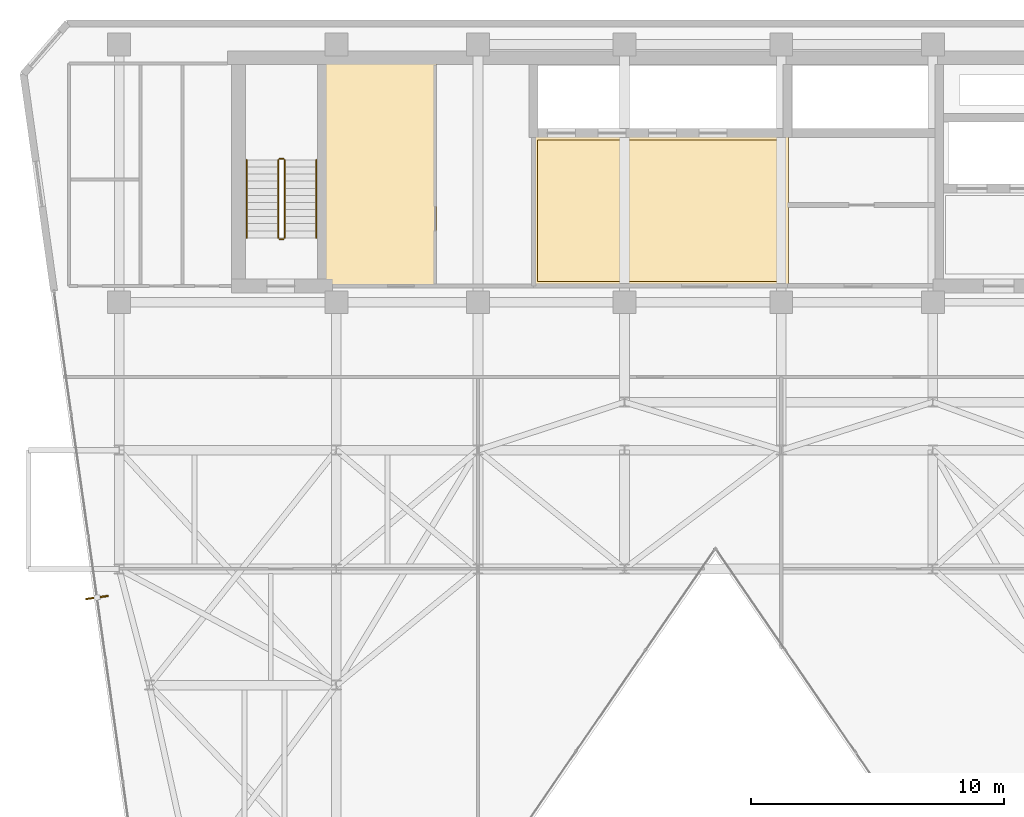
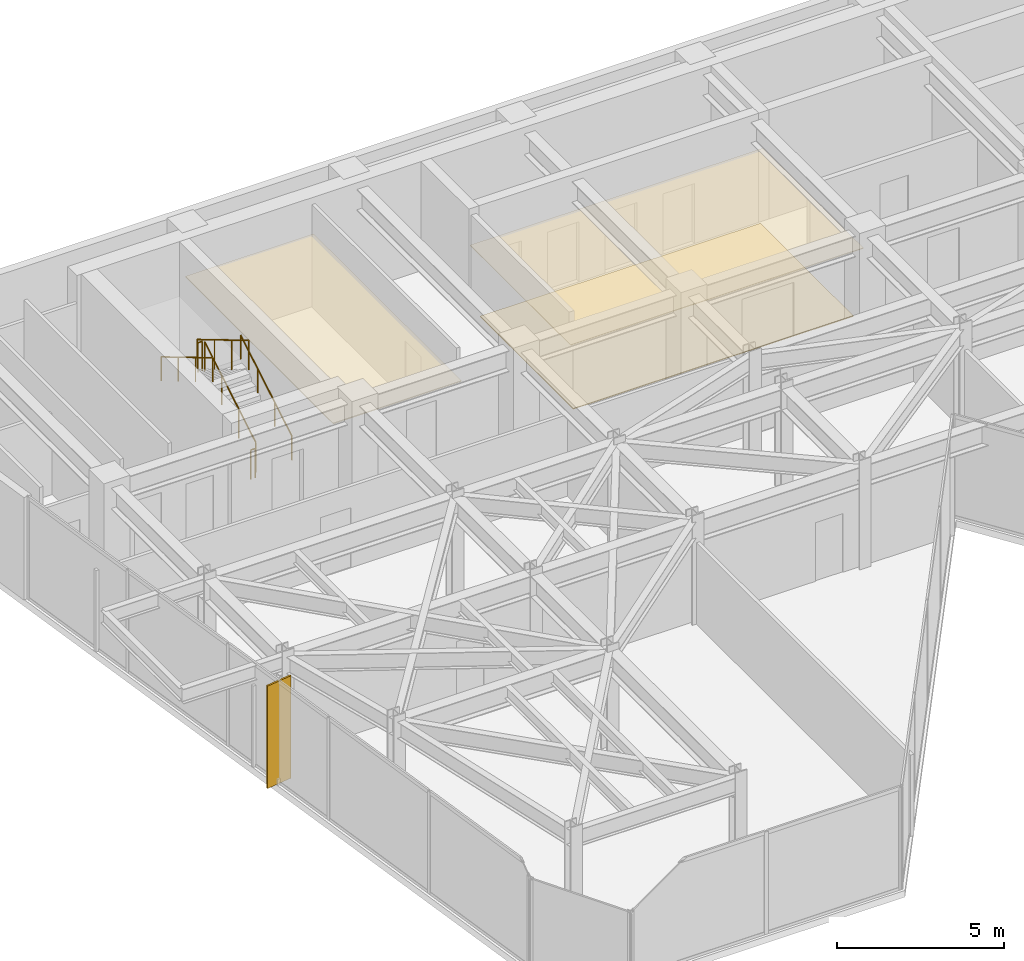
# One storey, part 25 of 26: 6 railings, 3 coverings, 1 shading device.
"""IFC4 building model written with IfcOpenShell, lengths in metres."""

import ifcopenshell
import ifcopenshell.guid

model = None  # the IFC model being written
_history = None  # IfcOwnerHistory: only IFC2X3 demands one
_inside = {}  # id of a spatial element -> (the spatial element, [elements in it])
_under = {}  # id of a project, library or spatial element -> (it, [spatial elements below it])
_declared = {}  # id of a project -> (the project, [libraries it declares])
_typed = {}  # id of a type object -> (the type object, [elements of that type])
_made_of = {}  # id of a material, layer set ... -> (it, [elements and type objects made of it])


def new_model(schema):
    """Start an empty IFC model of exactly this schema.

    Asked for "IFC4X3", IfcOpenShell would pick the latest addendum, in which some entities
    have other attributes; the version numbers below select the first issue.
    IFC2X3 requires an IfcOwnerHistory on every rooted entity: one is made here for all.
    """
    global model, _history
    if schema == "IFC4X3":
        model = ifcopenshell.file(schema_version=(4, 3, 0, 0))
    else:
        model = ifcopenshell.file(schema=schema)
    _inside.clear()
    _under.clear()
    _declared.clear()
    _typed.clear()
    _made_of.clear()
    _history = None
    if model.schema == "IFC2X3":
        org = make("IfcOrganization", Name="unknown")
        user = make(
            "IfcPersonAndOrganization",
            ThePerson=make("IfcPerson", FamilyName="unknown"),
            TheOrganization=org,
        )
        app = make(
            "IfcApplication",
            ApplicationDeveloper=org,
            Version="unknown",
            ApplicationFullName="unknown",
            ApplicationIdentifier="unknown",
        )
        _history = make(
            "IfcOwnerHistory",
            OwningUser=user,
            OwningApplication=app,
            ChangeAction="ADDED",
            CreationDate=0,
        )
    return model


def make(cls, **values):
    """One entity of the class cls with the attributes given. An attribute that is None is left unset."""
    return model.create_entity(
        cls, **{name: value for name, value in values.items() if value is not None}
    )


def rooted(cls, **values):
    """An entity with a GlobalId (a new one), such as an element, a storey or a relation."""
    return make(cls, GlobalId=ifcopenshell.guid.new(), OwnerHistory=_history, **values)


def si_unit(unit_type, name, prefix=None):
    """IfcSIUnit, for example si_unit("LENGTHUNIT", "METRE", prefix="MILLI")."""
    return make("IfcSIUnit", UnitType=unit_type, Prefix=prefix, Name=name)


def assignment(units):
    """IfcUnitAssignment: the units of a project."""
    return None if units is None else make("IfcUnitAssignment", Units=units)


def point(xyz):
    """IfcCartesianPoint."""
    return None if xyz is None else make("IfcCartesianPoint", Coordinates=xyz)


def direction(xyz):
    """IfcDirection."""
    return None if xyz is None else make("IfcDirection", DirectionRatios=xyz)


def frame(location, z_axis=None, x_axis=None):
    """IfcAxis2Placement3D, a coordinate frame: its origin and axes. An axis left out is left unset."""
    return make(
        "IfcAxis2Placement3D",
        Location=point(location),
        Axis=direction(z_axis),
        RefDirection=direction(x_axis),
    )


def frame_2d(location, x_axis=None):
    """IfcAxis2Placement2D, a coordinate frame in the plane: its origin and x axis."""
    return make(
        "IfcAxis2Placement2D", Location=point(location), RefDirection=direction(x_axis)
    )


def origin():
    """The frame at (0, 0, 0) with its axes left unset."""
    return frame((0.0, 0.0, 0.0))


def origin_2d():
    """The frame at (0, 0) in the plane with its x axis left unset."""
    return frame_2d((0.0, 0.0))


def place(relative_to, where):
    """IfcLocalPlacement: puts the frame where relative to a parent placement (None: the world)."""
    return make(
        "IfcLocalPlacement", PlacementRelTo=relative_to, RelativePlacement=where
    )


def context(
    kind, dimensions, precision=None, world=None, true_north=None, identifier=None
):
    """IfcGeometricRepresentationContext, for example the 3D "Model" context."""
    return make(
        "IfcGeometricRepresentationContext",
        ContextIdentifier=identifier,
        ContextType=kind,
        CoordinateSpaceDimension=dimensions,
        Precision=precision,
        WorldCoordinateSystem=world,
        TrueNorth=true_north,
    )


def subcontext(parent, identifier, kind, view, scale=None):
    """IfcGeometricRepresentationSubContext, for example "Body" below "Model"."""
    return make(
        "IfcGeometricRepresentationSubContext",
        ContextIdentifier=identifier,
        ContextType=kind,
        ParentContext=parent,
        TargetScale=scale,
        TargetView=view,
    )


def project(units=None, contexts=None):
    """IfcProject with its units and contexts."""
    return rooted(
        "IfcProject",
        Name="project",
        RepresentationContexts=contexts,
        UnitsInContext=assignment(units),
    )


def spatial(cls, under=None, at=None, **own):
    """A site, building, storey or space (cls), placed at a placement, below another one or the project."""
    s = rooted(cls, ObjectPlacement=at, **own)
    if under is not None:
        _under.setdefault(under.id(), (under, []))[1].append(s)
    return s


def polyline(points):
    """IfcPolyline through the points."""
    return make("IfcPolyline", Points=[point(p) for p in points])


def profile(cls, at=None, kind="AREA", **sizes):
    """A parametric profile (cls). Its sizes go by their IFC names, for example OverallWidth=200.0."""
    return make(cls, ProfileType=kind, Position=at, **sizes)


def rectangle(**sizes):
    """IfcRectangleProfileDef."""
    return profile("IfcRectangleProfileDef", **sizes)


def circle(**sizes):
    """IfcCircleProfileDef."""
    return profile("IfcCircleProfileDef", **sizes)


def outline(outer, holes=None, kind="AREA"):
    """IfcArbitraryClosedProfileDef: a profile drawn as a closed curve; with holes, ...WithVoids."""
    if holes is None:
        return make("IfcArbitraryClosedProfileDef", ProfileType=kind, OuterCurve=outer)
    return make(
        "IfcArbitraryProfileDefWithVoids",
        ProfileType=kind,
        OuterCurve=outer,
        InnerCurves=holes,
    )


def extrude(swept, where, along, depth):
    """IfcExtrudedAreaSolid: the profile swept, set in the frame where, extruded along a direction by depth."""
    return make(
        "IfcExtrudedAreaSolid",
        SweptArea=swept,
        Position=where,
        ExtrudedDirection=direction(along),
        Depth=depth,
    )


def shape(context_of_items, identifier, shape_type, items):
    """IfcShapeRepresentation: the items that make up one representation, for example the "Body"."""
    return make(
        "IfcShapeRepresentation",
        ContextOfItems=context_of_items,
        RepresentationIdentifier=identifier,
        RepresentationType=shape_type,
        Items=items,
    )


def material(Name=None, Category=None):
    """IfcMaterial."""
    return make("IfcMaterial", Name=Name, Category=Category)


def layer(
    of_material, thickness, ventilated=None, Name=None, Category=None, Priority=None
):
    """IfcMaterialLayer: one layer of a wall or slab, of a material (None: an air gap)."""
    return make(
        "IfcMaterialLayer",
        Material=of_material,
        LayerThickness=thickness,
        IsVentilated=ventilated,
        Name=Name,
        Category=Category,
        Priority=Priority,
    )


def layer_set(layers, Name=None):
    """IfcMaterialLayerSet."""
    return make("IfcMaterialLayerSet", MaterialLayers=layers, LayerSetName=Name)


def made_of(thing, what):
    """Note that an element or type object is made of a material, layer set ...; save() writes the relation."""
    if what is not None:
        _made_of.setdefault(what.id(), (what, []))[1].append(thing)
    return thing


def type_object(cls, material=None, **own):
    """A type object (cls), such as IfcWallType, which elements share."""
    return made_of(rooted(cls, **own), material)


def element(
    cls,
    number,
    at=None,
    inside=None,
    cuts=None,
    type_object=None,
    material=None,
    context=None,
    identifier="Body",
    shape_type=None,
    held_by="IfcProductDefinitionShape",
    body=None,
    shapes=None,
    **own,
):
    """One element of the class cls, such as IfcWall. Its Tag is "e" and its number.

    at: its placement. inside: the storey or other place that contains it. cuts: it is an
    opening in that element (IfcRelVoidsElement). A single representation is given by context,
    identifier, shape_type and body (its items); several are given by shapes. held_by: the class
    of the entity that holds the representations. save() writes the other relations.
    """
    e = rooted(cls, Tag="e%d" % number, ObjectPlacement=at, **own)
    if body is not None:
        shapes = [shape(context, identifier, shape_type, body)]
    if shapes is not None:
        e.Representation = make(held_by, Representations=shapes)
    if inside is not None:
        _inside.setdefault(inside.id(), (inside, []))[1].append(e)
    if cuts is not None:
        rooted(
            "IfcRelVoidsElement", RelatingBuildingElement=cuts, RelatedOpeningElement=e
        )
    if type_object is not None:
        _typed.setdefault(type_object.id(), (type_object, []))[1].append(e)
    return made_of(e, material)


def aggregate(whole, parts):
    """IfcRelAggregates: a whole, such as a stair, and the parts it consists of."""
    return rooted("IfcRelAggregates", RelatingObject=whole, RelatedObjects=parts)


def save(model, path):
    """Write the relations noted so far, then the file.

    IfcRelAggregates (storeys below a building ...), IfcRelContainedInSpatialStructure (elements
    in a storey), IfcRelDefinesByType, IfcRelAssociatesMaterial and IfcRelDeclares: one each for
    every whole, place, type object, material and project.
    """
    for whole, parts in _under.values():
        aggregate(whole, parts)
    for where, things in _inside.values():
        rooted(
            "IfcRelContainedInSpatialStructure",
            RelatedElements=things,
            RelatingStructure=where,
        )
    for kind, things in _typed.values():
        rooted("IfcRelDefinesByType", RelatedObjects=things, RelatingType=kind)
    for what, things in _made_of.values():
        rooted("IfcRelAssociatesMaterial", RelatedObjects=things, RelatingMaterial=what)
    for by, libraries in _declared.values():
        rooted("IfcRelDeclares", RelatingContext=by, RelatedDefinitions=libraries)
    model.write(path)


model = new_model("IFC4")

# Units and contexts
model_context = context("Model", 3, precision=1e-05, world=origin(), true_north=direction((0.0, 1.0)))
body_context = subcontext(model_context, "Body", "Model", "MODEL_VIEW")
ifc_project = project(units=[si_unit("LENGTHUNIT", "METRE"), si_unit("AREAUNIT", "SQUARE_METRE"), si_unit("VOLUMEUNIT", "CUBIC_METRE"), si_unit("PLANEANGLEUNIT", "RADIAN"), si_unit("MASSUNIT", "GRAM", prefix="KILO")], contexts=[model_context])

# Site, building, storey
site_placement = place(None, origin())
site = spatial("IfcSite", under=ifc_project, at=site_placement, CompositionType="ELEMENT")
building_placement = place(site_placement, origin())
building = spatial("IfcBuilding", under=site, at=building_placement, Name="Kravanh Interchange Tower", CompositionType="ELEMENT")
storey_placement = place(building_placement, frame((0.0, 0.0, 204.5)))
storey = spatial("IfcBuildingStorey", under=building, at=storey_placement, Name="L49", CompositionType="ELEMENT", Elevation=204.5)

# Coverings
ifc_material_1 = material(Name="Cementitious Terrazzo Tile")
ifc_layer_1 = layer(ifc_material_1, 0.030029296875)
ifc_layer_set_1 = layer_set([ifc_layer_1], Name="Honed Terrazzo Lobby Flooring 30mm")
covering_type_1 = type_object("IfcCoveringType", Name="Honed Terrazzo Lobby Flooring 30mm", PredefinedType="FLOORING", material=ifc_layer_set_1)
covering_1_placement = place(storey_placement, origin())
element("IfcCovering", 1, at=covering_1_placement, inside=storey, type_object=covering_type_1, Name="L49 Mid-Rise Lift Lobby Floor Finish", PredefinedType="FLOORING", context=body_context, shape_type="SweptSolid", body=[
    extrude(outline(polyline([(35.159912109375, 43.77001953125), (44.8701171875, 43.77001953125), (44.8701171875, 38.179931640625), (35.159912109375, 38.179931640625), (35.159912109375, 43.77001953125)])), origin(), (0.0, 0.0, 1.0), 0.030029296875),
])
ifc_material_2 = material(Name="Anodised Bronze Aluminium Acoustic Baffle", Category="aluminium")
ifc_layer_2 = layer(ifc_material_2, 0.034912109375)
ifc_layer_set_2 = layer_set([ifc_layer_2], Name="Linear Bronze Baffle Feature Ceiling 35mm")
covering_type_2 = type_object("IfcCoveringType", Name="Linear Bronze Baffle Feature Ceiling 35mm", PredefinedType="CEILING", material=ifc_layer_set_2)
covering_2_placement = place(storey_placement, frame((0.0, 0.0, 2.550048828125)))
element("IfcCovering", 2, at=covering_2_placement, inside=storey, type_object=covering_type_2, Name="L49 Regional IT Server Suite Suspended Ceiling", PredefinedType="CEILING", context=body_context, shape_type="SweptSolid", body=[
    extrude(outline(polyline([(31.159912109375, 37.9599609375), (26.7099609375, 37.9599609375), (26.7099609375, 46.840087890625), (31.159912109375, 46.840087890625), (31.159912109375, 37.9599609375)])), origin(), (0.0, 0.0, 1.0), 0.034912109375),
])
ifc_material_3 = material(Name="Acoustic Mineral Fibre Tile on Aluminium Grid", Category="aluminium")
ifc_layer_3 = layer(ifc_material_3, 0.02490234375)
ifc_layer_set_3 = layer_set([ifc_layer_3], Name="Perforated Acoustic Mineral Ceiling 25mm")
covering_type_3 = type_object("IfcCoveringType", Name="Perforated Acoustic Mineral Ceiling 25mm", PredefinedType="CEILING", material=ifc_layer_set_3)
covering_3_placement = place(storey_placement, frame((0.0, 0.0, 2.550048828125)))
element("IfcCovering", 3, at=covering_3_placement, inside=storey, type_object=covering_type_3, Name="L49 Mid-Rise Lift Lobby Suspended Ceiling", PredefinedType="CEILING", context=body_context, shape_type="SweptSolid", body=[
    extrude(outline(polyline([(45.090087890625, 37.9599609375), (34.93994140625, 37.9599609375), (34.93994140625, 43.989990234375), (45.090087890625, 43.989990234375), (45.090087890625, 37.9599609375)])), origin(), (0.0, 0.0, 1.0), 0.02490234375),
])

# Railings
ifc_material_4 = material(Name="Structural Steel S355", Category="steel")
ifc_layer_4 = layer(ifc_material_4, 0.050048828125)
ifc_layer_set_4 = layer_set([ifc_layer_4], Name="Stair Well Guardrail Structural Steel S355 1100mm")
railing_type_1 = type_object("IfcRailingType", Name="Stair Well Guardrail Structural Steel S355 1100mm", PredefinedType="GUARDRAIL", material=ifc_layer_set_4)
railing_1_placement = place(storey_placement, frame((25.14990234375, 39.89990234375, 0.166748046875)))
element("IfcRailing", 4, at=railing_1_placement, inside=storey, type_object=railing_type_1, Name="L49 ST3 stair guard 1", PredefinedType="GUARDRAIL", context=body_context, shape_type="SweptSolid", body=[
    extrude(circle(Radius=0.02392578125, at=origin_2d()), frame((0.0, 0.0, 1.076171875), z_axis=(0.0, 0.859308565015, 0.511457515432), x_axis=(-1.0, 0.0, 0.0)), (0.0, 0.0, 1.0), 3.58447265625),
    extrude(circle(Radius=0.02099609375, at=origin_2d()), origin(), (0.0, 0.0, 1.0), 1.052001953125),
    extrude(circle(Radius=0.02099609375, at=origin_2d()), frame((0.0, 1.026611328125, 0.611083984375)), (0.0, 0.0, 1.0), 1.052001953125),
    extrude(circle(Radius=0.02099609375, at=origin_2d()), frame((0.0, 2.053466796875, 1.22216796875)), (0.0, 0.0, 1.0), 1.052001953125),
    extrude(circle(Radius=0.02099609375, at=origin_2d()), frame((0.0, 3.080078125, 1.833251953125)), (0.0, 0.0, 1.0), 1.052001953125),
])
railing_2_placement = place(storey_placement, frame((25.10009765625, 43.030029296875, 2.0)))
element("IfcRailing", 5, at=railing_2_placement, inside=storey, type_object=railing_type_1, Name="L49 ST3 stair guard 2", PredefinedType="GUARDRAIL", context=body_context, shape_type="SweptSolid", body=[
    extrude(circle(Radius=0.02392578125, at=origin_2d()), frame((0.0, 0.0, 1.076171875), z_axis=(-1.0, 0.0, 0.0), x_axis=(0.0, -1.0, 0.0)), (0.0, 0.0, 1.0), 0.150146484375),
    extrude(circle(Radius=0.02099609375, at=origin_2d()), origin(), (0.0, 0.0, 1.0), 1.052001953125),
    extrude(circle(Radius=0.02099609375, at=origin_2d()), frame((-0.150146484375, 0.0, 0.0)), (0.0, 0.0, 1.0), 1.052001953125),
])
railing_3_placement = place(storey_placement, frame((24.89990234375, 42.97998046875, 2.166748046875)))
element("IfcRailing", 6, at=railing_3_placement, inside=storey, type_object=railing_type_1, Name="L49 ST3 stair guard 3", PredefinedType="GUARDRAIL", context=body_context, shape_type="SweptSolid", body=[
    extrude(circle(Radius=0.02392578125, at=origin_2d()), frame((0.0, 0.0, 1.076171875), z_axis=(0.0, -0.859308565015, 0.511457515432), x_axis=(1.0, 0.0, 0.0)), (0.0, 0.0, 1.0), 3.58447265625),
    extrude(circle(Radius=0.02099609375, at=origin_2d()), origin(), (0.0, 0.0, 1.0), 1.052001953125),
    extrude(circle(Radius=0.02099609375, at=origin_2d()), frame((0.0, -1.026611328125, 0.611083984375)), (0.0, 0.0, 1.0), 1.052001953125),
    extrude(circle(Radius=0.02099609375, at=origin_2d()), frame((0.0, -2.053466796875, 1.22216796875)), (0.0, 0.0, 1.0), 1.052001953125),
    extrude(circle(Radius=0.02099609375, at=origin_2d()), frame((0.0, -3.080078125, 1.833251953125)), (0.0, 0.0, 1.0), 1.052001953125),
])
railing_4_placement = place(storey_placement, frame((25.10009765625, 39.85009765625, 0.0)))
element("IfcRailing", 7, at=railing_4_placement, inside=storey, type_object=railing_type_1, Name="L49 ST3 stair guard 4", PredefinedType="GUARDRAIL", context=body_context, shape_type="SweptSolid", body=[
    extrude(circle(Radius=0.02392578125, at=origin_2d()), frame((0.0, 0.0, 1.076171875), z_axis=(-1.0, 0.0, 0.0), x_axis=(0.0, -1.0, 0.0)), (0.0, 0.0, 1.0), 0.150146484375),
    extrude(circle(Radius=0.02099609375, at=origin_2d()), origin(), (0.0, 0.0, 1.0), 1.052001953125),
    extrude(circle(Radius=0.02099609375, at=origin_2d()), frame((-0.150146484375, 0.0, 0.0)), (0.0, 0.0, 1.0), 1.052001953125),
])
ifc_material_5 = material(Name="Stainless Steel 304", Category="steel")
ifc_layer_5 = layer(ifc_material_5, 0.044921875)
ifc_layer_set_5 = layer_set([ifc_layer_5], Name="Tubular Stair Handrail Stainless 304 900mm")
railing_type_2 = type_object("IfcRailingType", Name="Tubular Stair Handrail Stainless 304 900mm", PredefinedType="HANDRAIL", material=ifc_layer_set_5)
railing_5_placement = place(storey_placement, frame((26.39990234375, 39.89990234375, 0.166748046875)))
element("IfcRailing", 8, at=railing_5_placement, inside=storey, type_object=railing_type_2, Name="L49 ST3 stair handrail 1", PredefinedType="HANDRAIL", context=body_context, shape_type="SweptSolid", body=[
    extrude(circle(Radius=0.02392578125, at=origin_2d()), frame((0.0, 0.0, 0.8759765625), z_axis=(0.0, 0.859308565015, 0.511457515432), x_axis=(-1.0, 0.0, 0.0)), (0.0, 0.0, 1.0), 3.58447265625),
    extrude(circle(Radius=0.02099609375, at=origin_2d()), origin(), (0.0, 0.0, 1.0), 0.851806640625),
    extrude(circle(Radius=0.02099609375, at=origin_2d()), frame((0.0, 1.026611328125, 0.611083984375)), (0.0, 0.0, 1.0), 0.851806640625),
    extrude(circle(Radius=0.02099609375, at=origin_2d()), frame((0.0, 2.053466796875, 1.22216796875)), (0.0, 0.0, 1.0), 0.851806640625),
    extrude(circle(Radius=0.02099609375, at=origin_2d()), frame((0.0, 3.080078125, 1.833251953125)), (0.0, 0.0, 1.0), 0.851806640625),
])
railing_6_placement = place(storey_placement, frame((23.64990234375, 42.97998046875, 2.166748046875)))
element("IfcRailing", 9, at=railing_6_placement, inside=storey, type_object=railing_type_2, Name="L49 ST3 stair handrail 2", PredefinedType="HANDRAIL", context=body_context, shape_type="SweptSolid", body=[
    extrude(circle(Radius=0.02392578125, at=origin_2d()), frame((0.0, 0.0, 0.8759765625), z_axis=(0.0, -0.859308565015, 0.511457515432), x_axis=(1.0, 0.0, 0.0)), (0.0, 0.0, 1.0), 3.58447265625),
    extrude(circle(Radius=0.02099609375, at=origin_2d()), origin(), (0.0, 0.0, 1.0), 0.851806640625),
    extrude(circle(Radius=0.02099609375, at=origin_2d()), frame((0.0, -1.026611328125, 0.611083984375)), (0.0, 0.0, 1.0), 0.851806640625),
    extrude(circle(Radius=0.02099609375, at=origin_2d()), frame((0.0, -2.053466796875, 1.22216796875)), (0.0, 0.0, 1.0), 0.851806640625),
    extrude(circle(Radius=0.02099609375, at=origin_2d()), frame((0.0, -3.080078125, 1.833251953125)), (0.0, 0.0, 1.0), 0.851806640625),
])

# Shading device
ifc_material_6 = material(Name="Anodised Champagne Bronze Aluminium", Category="aluminium")
ifc_layer_6 = layer(ifc_material_6, 0.06005859375)
ifc_layer_set_6 = layer_set([ifc_layer_6], Name="Vertical Bronze Solar Fin 900mm")
shading_device_type = type_object("IfcShadingDeviceType", Name="Vertical Bronze Solar Fin 900mm", PredefinedType="USERDEFINED", material=ifc_layer_set_6)
shading_device_placement = place(storey_placement, frame((17.729736328125, 25.67041015625, 0.0), z_axis=(0.0, 0.0, 1.0), x_axis=(-0.990268182791, -0.139172289451, 0.0)))
element("IfcShadingDevice", 10, at=shading_device_placement, inside=storey, type_object=shading_device_type, Name="L49 BRONZE SOLAR FIN 1", ObjectType="FIN", PredefinedType="USERDEFINED", context=body_context, shape_type="SweptSolid", body=[
    extrude(rectangle(XDim=0.89990234375, YDim=0.06005859375, at=origin_2d()), origin(), (0.0, 0.0, 1.0), 3.7548828125),
])

save(model, "model.ifc")
